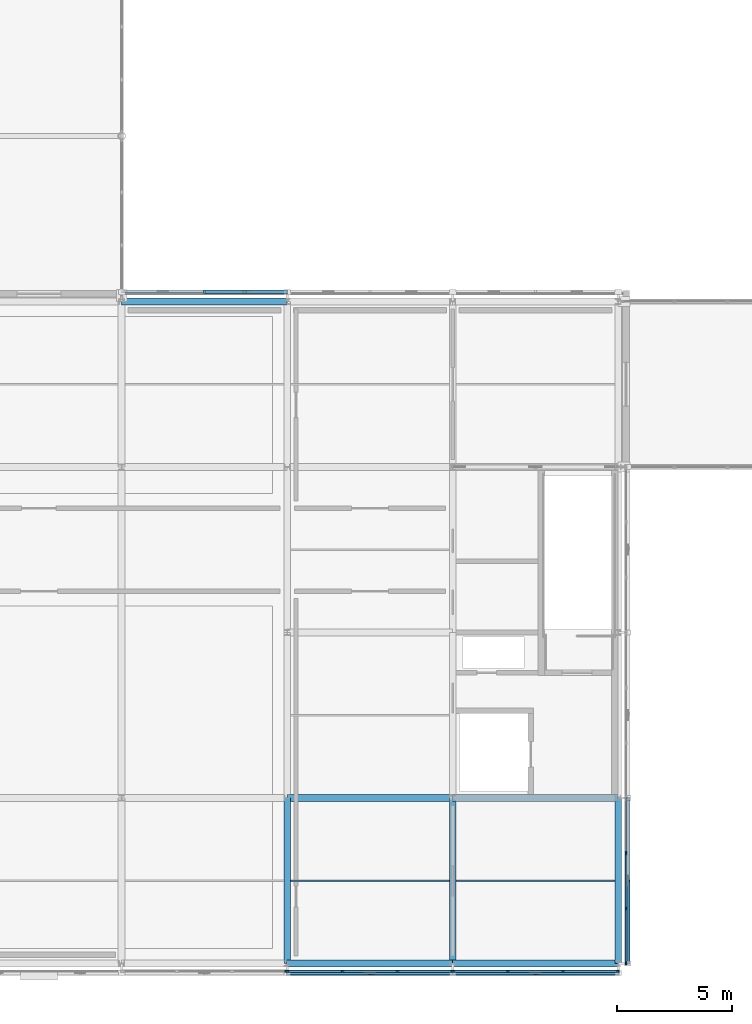
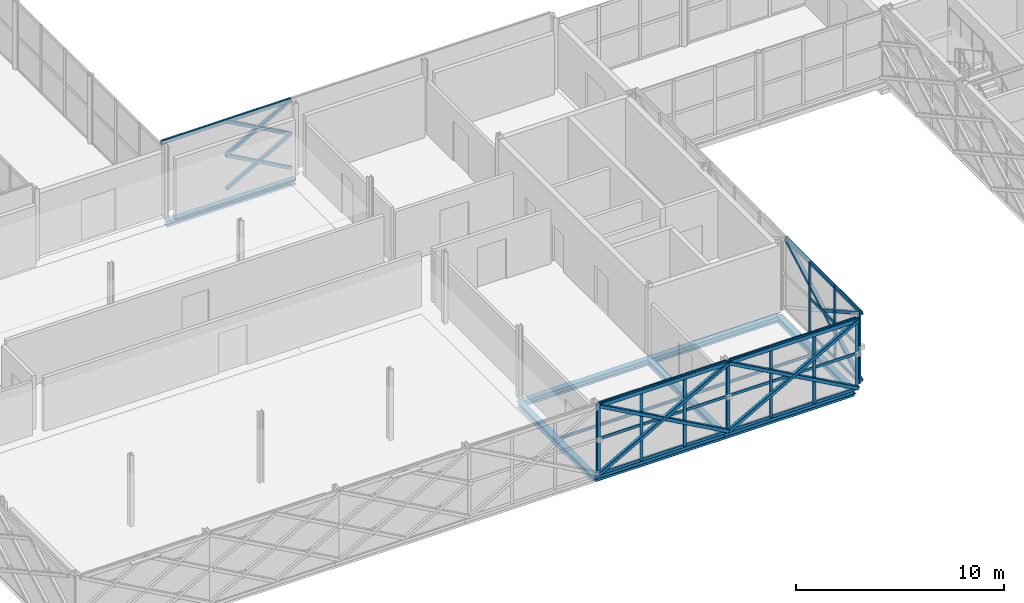
# One storey, part 22 of 126: 54 members, 10 beams, 4 elements without a shape of their own.
"""IFC4 building model written with IfcOpenShell, lengths in metres."""

from ifc_helpers import new_model, si_unit, direction, frame, origin, origin_2d, place, context, subcontext, project, spatial, rectangle, hollow_rectangle, i_section, extrude, material, material_profile, profile_set, type_object, element, aggregate, save


model = new_model("IFC4")

# Units and contexts
model_context = context("Model", 3, precision=1e-05, world=origin(), true_north=direction((0.0, 1.0)))
body_context = subcontext(model_context, "Body", "Model", "MODEL_VIEW")
ifc_project = project(units=[si_unit("LENGTHUNIT", "METRE"), si_unit("AREAUNIT", "SQUARE_METRE"), si_unit("VOLUMEUNIT", "CUBIC_METRE"), si_unit("PLANEANGLEUNIT", "RADIAN"), si_unit("MASSUNIT", "GRAM", prefix="KILO")], contexts=[model_context])

# Site, building, storey
site_placement = place(None, origin())
site = spatial("IfcSite", under=ifc_project, at=site_placement, CompositionType="ELEMENT")
building_placement = place(site_placement, origin())
building = spatial("IfcBuilding", under=site, at=building_placement, Name="Zlatovets Crest Museum", CompositionType="ELEMENT")
storey_placement = place(building_placement, frame((0.0, 0.0, 8.699951171875)))
storey = spatial("IfcBuildingStorey", under=building, at=storey_placement, Name="L02", CompositionType="ELEMENT", Elevation=8.699951171875)

# Beams
ifc_material_1 = material(Name="Structural steel S355J2", Category="steel")
ifc_material_profile_1 = material_profile(ifc_material_1, i_section(OverallWidth=0.300048828125, OverallDepth=0.35009765625, WebThickness=0.010009765625, FlangeThickness=0.017578125, FilletRadius=0.027099609375, at=origin_2d()), Name="HEA 360")
ifc_profile_set_1 = profile_set([ifc_material_profile_1], Name="Structural steel S355J2")
beam_type_1 = type_object("IfcBeamType", Name="Beam_B-03", PredefinedType="BEAM", material=ifc_profile_set_1)
for number, where, z_axis, x_axis, name in (
    (1, (28.800048828125, 0.0, -0.39501953125), (0.0, 1.0, 0.0), (-1.0, 0.0, 0.0), "V3 L02 Grid Beam B-03"),
    (2, (36.0, 0.0, -0.39501953125), (0.0, 1.0, 0.0), (-1.0, 0.0, 0.0), "V3 L02 Grid Beam B-03"),
    (3, (43.199951171875, 0.0, -0.39501953125), (0.0, 1.0, 0.0), (-1.0, 0.0, 0.0), "V3 L02 Grid Beam B-03"),
):
    element("IfcBeam", number, at=place(storey_placement, frame(where, z_axis=z_axis, x_axis=x_axis)), inside=storey, type_object=beam_type_1, Name=name, PredefinedType="BEAM", context=body_context, shape_type="SweptSolid", body=[
        extrude(i_section(OverallWidth=0.300048828125, OverallDepth=0.35009765625, WebThickness=0.010009765625, FlangeThickness=0.017578125, FilletRadius=0.027099609375, at=origin_2d()), origin(), (0.0, 0.0, 1.0), 7.199951171875),
    ])
ifc_material_profile_2 = material_profile(ifc_material_1, i_section(OverallWidth=0.300048828125, OverallDepth=0.330078125, WebThickness=0.009521484375, FlangeThickness=0.0166015625, FilletRadius=0.027099609375, at=origin_2d()), Name="HEA 340")
ifc_profile_set_2 = profile_set([ifc_material_profile_2], Name="Structural steel S355J2")
beam_type_2 = type_object("IfcBeamType", Name="Beam_B-11", PredefinedType="BEAM", material=ifc_profile_set_2)
for number, where, z_axis, x_axis, name in (
    (4, (28.800048828125, 0.0, -0.385009765625), (1.0, 0.0, 0.0), (0.0, 1.0, 0.0), "V3 L02 Primary Girder B-11"),
    (5, (36.0, 0.0, -0.385009765625), (1.0, 0.0, 0.0), (0.0, 1.0, 0.0), "V3 L02 Primary Girder B-11"),
    (6, (28.800048828125, 7.199951171875, -0.385009765625), (1.0, 0.0, 0.0), (0.0, 1.0, 0.0), "V3 L02 Primary Girder B-11"),
    (7, (36.0, 7.199951171875, -0.385009765625), (1.0, 0.0, 0.0), (0.0, 1.0, 0.0), "V3 L02 Primary Girder B-11"),
    (8, (21.60009765625, 28.800048828125, -0.385009765625), (1.0, 0.0, 0.0), (0.0, 1.0, 0.0), "V3 L02 Primary Girder B-11"),
):
    element("IfcBeam", number, at=place(storey_placement, frame(where, z_axis=z_axis, x_axis=x_axis)), inside=storey, type_object=beam_type_2, Name=name, PredefinedType="BEAM", context=body_context, shape_type="SweptSolid", body=[
        extrude(i_section(OverallWidth=0.300048828125, OverallDepth=0.330078125, WebThickness=0.009521484375, FlangeThickness=0.0166015625, FilletRadius=0.027099609375, at=origin_2d()), origin(), (0.0, 0.0, 1.0), 7.199951171875),
    ])
ifc_material_profile_3 = material_profile(ifc_material_1, i_section(OverallWidth=0.08203125, OverallDepth=0.159912109375, WebThickness=0.0048828125, FlangeThickness=0.00732421875, FilletRadius=0.009033203125, at=origin_2d()), Name="IPE 160")
ifc_profile_set_3 = profile_set([ifc_material_profile_3], Name="Structural steel S355J2")
beam_type_3 = type_object("IfcBeamType", Name="Beam_J-12", PredefinedType="JOIST", material=ifc_profile_set_3)
for number, where, z_axis, x_axis, name in (
    (9, (28.949951171875, 3.60009765625, -0.300048828125), (1.0, 0.0, 0.0), (0.0, 1.0, 0.0), "V3 L02 Composite Joist J-12"),
    (10, (36.14990234375, 3.60009765625, -0.300048828125), (1.0, 0.0, 0.0), (0.0, 1.0, 0.0), "V3 L02 Composite Joist J-12"),
):
    element("IfcBeam", number, at=place(storey_placement, frame(where, z_axis=z_axis, x_axis=x_axis)), inside=storey, type_object=beam_type_3, Name=name, PredefinedType="JOIST", context=body_context, shape_type="SweptSolid", body=[
        extrude(i_section(OverallWidth=0.08203125, OverallDepth=0.159912109375, WebThickness=0.0048828125, FlangeThickness=0.00732421875, FilletRadius=0.009033203125, at=origin_2d()), origin(), (0.0, 0.0, 1.0), 6.900146484375),
    ])

# Curtain wall, member
ifc_material_2 = material(Name="Bronze-anodised aluminium and low-E triple glass", Category="aluminium")
curtain_wall_type_1 = type_object("IfcCurtainWallType", Name="CW_CW-V3-L02-M3", PredefinedType="NOTDEFINED", material=ifc_material_2)
curtain_wall_1_placement = place(storey_placement, origin())
curtain_wall_1 = element("IfcCurtainWall", 11, at=curtain_wall_1_placement, inside=storey, type_object=curtain_wall_type_1, Name="V3 L02 Secession Foyer Clear Curtain Wall", PredefinedType="NOTDEFINED")
ifc_material_3 = material(Name="Bronze-anodised aluminium EN AW-6060", Category="aluminium")
ifc_material_profile_4 = material_profile(ifc_material_3, rectangle(XDim=0.080078125, YDim=0.159912109375, at=origin_2d()), Name="ALU 80x160")
ifc_profile_set_4 = profile_set([ifc_material_profile_4], Name="Bronze-anodised aluminium EN AW-6060")
member_type_1 = type_object("IfcMemberType", Name="CWMull_M1", PredefinedType="MULLION", material=ifc_profile_set_4)
member_1_placement = place(storey_placement, frame((28.77001953125, -0.340087890625, 0.0), z_axis=(0.0, 0.0, 1.0), x_axis=(0.0, 1.0, 0.0)))
member_1 = element("IfcMember", 12, at=member_1_placement, type_object=member_type_1, Name="CW-V3-L02-M3 mullion 4", PredefinedType="MULLION", context=body_context, shape_type="SweptSolid", body=[
    extrude(rectangle(XDim=0.080078125, YDim=0.159912109375, at=origin_2d()), origin(), (0.0, 0.0, 1.0), 4.199951171875),
])
aggregate(curtain_wall_1, [member_1])

# Curtain wall, members
curtain_wall_type_2 = type_object("IfcCurtainWallType", Name="CW_CW-V3-L02-M0", PredefinedType="NOTDEFINED", material=ifc_material_2)
curtain_wall_2_placement = place(storey_placement, origin())
curtain_wall_2 = element("IfcCurtainWall", 13, at=curtain_wall_2_placement, inside=storey, type_object=curtain_wall_type_2, Name="V3 L02 Secession Foyer Clear Curtain Wall", PredefinedType="NOTDEFINED")
member_2_placement = place(storey_placement, frame((28.830078125, -0.340087890625, 0.0), z_axis=(0.0, 0.0, 1.0), x_axis=(0.0, 1.0, 0.0)))
member_2 = element("IfcMember", 14, at=member_2_placement, type_object=member_type_1, Name="CW-V3-L02-M0 mullion 1", PredefinedType="MULLION", context=body_context, shape_type="SweptSolid", body=[
    extrude(rectangle(XDim=0.080078125, YDim=0.159912109375, at=origin_2d()), origin(), (0.0, 0.0, 1.0), 4.199951171875),
])
member_3_placement = place(storey_placement, frame((31.199951171875, -0.340087890625, 0.0), z_axis=(0.0, 0.0, 1.0), x_axis=(0.0, 1.0, 0.0)))
member_3 = element("IfcMember", 15, at=member_3_placement, type_object=member_type_1, Name="CW-V3-L02-M0 mullion 2", PredefinedType="MULLION", context=body_context, shape_type="SweptSolid", body=[
    extrude(rectangle(XDim=0.080078125, YDim=0.159912109375, at=origin_2d()), origin(), (0.0, 0.0, 1.0), 4.199951171875),
])
member_4_placement = place(storey_placement, frame((33.60009765625, -0.340087890625, 0.0), z_axis=(0.0, 0.0, 1.0), x_axis=(0.0, 1.0, 0.0)))
member_4 = element("IfcMember", 16, at=member_4_placement, type_object=member_type_1, Name="CW-V3-L02-M0 mullion 3", PredefinedType="MULLION", context=body_context, shape_type="SweptSolid", body=[
    extrude(rectangle(XDim=0.080078125, YDim=0.159912109375, at=origin_2d()), origin(), (0.0, 0.0, 1.0), 4.199951171875),
])
member_5_placement = place(storey_placement, frame((35.969970703125, -0.340087890625, 0.0), z_axis=(0.0, 0.0, 1.0), x_axis=(0.0, 1.0, 0.0)))
member_5 = element("IfcMember", 17, at=member_5_placement, type_object=member_type_1, Name="CW-V3-L02-M0 mullion 4", PredefinedType="MULLION", context=body_context, shape_type="SweptSolid", body=[
    extrude(rectangle(XDim=0.080078125, YDim=0.159912109375, at=origin_2d()), origin(), (0.0, 0.0, 1.0), 4.199951171875),
])

curtain_wall_type_3 = type_object("IfcCurtainWallType", Name="CW_CW-V3-L02-M1", PredefinedType="NOTDEFINED", material=ifc_material_2)
curtain_wall_3_placement = place(storey_placement, origin())
curtain_wall_3 = element("IfcCurtainWall", 18, at=curtain_wall_3_placement, inside=storey, type_object=curtain_wall_type_3, Name="V3 L02 Secession Foyer Clear Curtain Wall", PredefinedType="NOTDEFINED")
member_6_placement = place(storey_placement, frame((36.030029296875, -0.340087890625, 0.0), z_axis=(0.0, 0.0, 1.0), x_axis=(0.0, 1.0, 0.0)))
member_6 = element("IfcMember", 19, at=member_6_placement, type_object=member_type_1, Name="CW-V3-L02-M1 mullion 1", PredefinedType="MULLION", context=body_context, shape_type="SweptSolid", body=[
    extrude(rectangle(XDim=0.080078125, YDim=0.159912109375, at=origin_2d()), origin(), (0.0, 0.0, 1.0), 4.199951171875),
])
member_7_placement = place(storey_placement, frame((38.39990234375, -0.340087890625, 0.0), z_axis=(0.0, 0.0, 1.0), x_axis=(0.0, 1.0, 0.0)))
member_7 = element("IfcMember", 20, at=member_7_placement, type_object=member_type_1, Name="CW-V3-L02-M1 mullion 2", PredefinedType="MULLION", context=body_context, shape_type="SweptSolid", body=[
    extrude(rectangle(XDim=0.080078125, YDim=0.159912109375, at=origin_2d()), origin(), (0.0, 0.0, 1.0), 4.199951171875),
])
member_8_placement = place(storey_placement, frame((40.800048828125, -0.340087890625, 0.0), z_axis=(0.0, 0.0, 1.0), x_axis=(0.0, 1.0, 0.0)))
member_8 = element("IfcMember", 21, at=member_8_placement, type_object=member_type_1, Name="CW-V3-L02-M1 mullion 3", PredefinedType="MULLION", context=body_context, shape_type="SweptSolid", body=[
    extrude(rectangle(XDim=0.080078125, YDim=0.159912109375, at=origin_2d()), origin(), (0.0, 0.0, 1.0), 4.199951171875),
])
member_9_placement = place(storey_placement, frame((43.169921875, -0.340087890625, 0.0), z_axis=(0.0, 0.0, 1.0), x_axis=(0.0, 1.0, 0.0)))
member_9 = element("IfcMember", 22, at=member_9_placement, type_object=member_type_1, Name="CW-V3-L02-M1 mullion 4", PredefinedType="MULLION", context=body_context, shape_type="SweptSolid", body=[
    extrude(rectangle(XDim=0.080078125, YDim=0.159912109375, at=origin_2d()), origin(), (0.0, 0.0, 1.0), 4.199951171875),
])

curtain_wall_type_4 = type_object("IfcCurtainWallType", Name="CW_CW-V3-L02-M2", PredefinedType="NOTDEFINED", material=ifc_material_2)
curtain_wall_4_placement = place(storey_placement, origin())
curtain_wall_4 = element("IfcCurtainWall", 23, at=curtain_wall_4_placement, inside=storey, type_object=curtain_wall_type_4, Name="V3 L02 Secession Foyer Clear Curtain Wall", PredefinedType="NOTDEFINED")
member_10_placement = place(storey_placement, frame((43.5400390625, 0.030029296875, 0.0), z_axis=(0.0, 0.0, 1.0), x_axis=(-1.0, 0.0, 0.0)))
member_10 = element("IfcMember", 24, at=member_10_placement, type_object=member_type_1, Name="CW-V3-L02-M2 mullion 1", PredefinedType="MULLION", context=body_context, shape_type="SweptSolid", body=[
    extrude(rectangle(XDim=0.080078125, YDim=0.159912109375, at=origin_2d()), origin(), (0.0, 0.0, 1.0), 4.199951171875),
])
member_11_placement = place(storey_placement, frame((43.5400390625, 2.39990234375, 0.0), z_axis=(0.0, 0.0, 1.0), x_axis=(-1.0, 0.0, 0.0)))
member_11 = element("IfcMember", 25, at=member_11_placement, type_object=member_type_1, Name="CW-V3-L02-M2 mullion 2", PredefinedType="MULLION", context=body_context, shape_type="SweptSolid", body=[
    extrude(rectangle(XDim=0.080078125, YDim=0.159912109375, at=origin_2d()), origin(), (0.0, 0.0, 1.0), 4.199951171875),
])
member_12_placement = place(storey_placement, frame((43.5400390625, 4.800048828125, 0.0), z_axis=(0.0, 0.0, 1.0), x_axis=(-1.0, 0.0, 0.0)))
member_12 = element("IfcMember", 26, at=member_12_placement, type_object=member_type_1, Name="CW-V3-L02-M2 mullion 3", PredefinedType="MULLION", context=body_context, shape_type="SweptSolid", body=[
    extrude(rectangle(XDim=0.080078125, YDim=0.159912109375, at=origin_2d()), origin(), (0.0, 0.0, 1.0), 4.199951171875),
])

# Member
ifc_material_profile_5 = material_profile(ifc_material_3, rectangle(XDim=0.080078125, YDim=0.159912109375, at=origin_2d()), Name="ALU 80x160")
ifc_profile_set_5 = profile_set([ifc_material_profile_5], Name="Bronze-anodised aluminium EN AW-6060")
member_type_2 = type_object("IfcMemberType", Name="CWTrans_T1", PredefinedType="USERDEFINED", material=ifc_profile_set_5)
member_13_placement = place(storey_placement, frame((28.860107421875, -0.340087890625, 0.030029296875), z_axis=(1.0, 0.0, 0.0), x_axis=(0.0, 1.0, 0.0)))
member_13 = element("IfcMember", 27, at=member_13_placement, type_object=member_type_2, Name="CW-V3-L02-M0 transom 1.1", ObjectType="TRANSOM", PredefinedType="USERDEFINED", context=body_context, shape_type="SweptSolid", body=[
    extrude(rectangle(XDim=0.080078125, YDim=0.159912109375, at=origin_2d()), origin(), (0.0, 0.0, 1.0), 2.309814453125),
])

member_14_placement = place(storey_placement, frame((28.860107421875, -0.340087890625, 2.10009765625), z_axis=(1.0, 0.0, 0.0), x_axis=(0.0, 1.0, 0.0)))
member_14 = element("IfcMember", 28, at=member_14_placement, type_object=member_type_2, Name="CW-V3-L02-M0 transom 1.2", ObjectType="TRANSOM", PredefinedType="USERDEFINED", context=body_context, shape_type="SweptSolid", body=[
    extrude(rectangle(XDim=0.080078125, YDim=0.159912109375, at=origin_2d()), origin(), (0.0, 0.0, 1.0), 2.309814453125),
])

member_15_placement = place(storey_placement, frame((28.860107421875, -0.340087890625, 4.170166015625), z_axis=(1.0, 0.0, 0.0), x_axis=(0.0, 1.0, 0.0)))
member_15 = element("IfcMember", 29, at=member_15_placement, type_object=member_type_2, Name="CW-V3-L02-M0 transom 1.3", ObjectType="TRANSOM", PredefinedType="USERDEFINED", context=body_context, shape_type="SweptSolid", body=[
    extrude(rectangle(XDim=0.080078125, YDim=0.159912109375, at=origin_2d()), origin(), (0.0, 0.0, 1.0), 2.309814453125),
])

member_16_placement = place(storey_placement, frame((31.22998046875, -0.340087890625, 0.030029296875), z_axis=(1.0, 0.0, 0.0), x_axis=(0.0, 1.0, 0.0)))
member_16 = element("IfcMember", 30, at=member_16_placement, type_object=member_type_2, Name="CW-V3-L02-M0 transom 2.1", ObjectType="TRANSOM", PredefinedType="USERDEFINED", context=body_context, shape_type="SweptSolid", body=[
    extrude(rectangle(XDim=0.080078125, YDim=0.159912109375, at=origin_2d()), origin(), (0.0, 0.0, 1.0), 2.340087890625),
])

member_17_placement = place(storey_placement, frame((31.22998046875, -0.340087890625, 2.10009765625), z_axis=(1.0, 0.0, 0.0), x_axis=(0.0, 1.0, 0.0)))
member_17 = element("IfcMember", 31, at=member_17_placement, type_object=member_type_2, Name="CW-V3-L02-M0 transom 2.2", ObjectType="TRANSOM", PredefinedType="USERDEFINED", context=body_context, shape_type="SweptSolid", body=[
    extrude(rectangle(XDim=0.080078125, YDim=0.159912109375, at=origin_2d()), origin(), (0.0, 0.0, 1.0), 2.340087890625),
])

member_18_placement = place(storey_placement, frame((31.22998046875, -0.340087890625, 4.170166015625), z_axis=(1.0, 0.0, 0.0), x_axis=(0.0, 1.0, 0.0)))
member_18 = element("IfcMember", 32, at=member_18_placement, type_object=member_type_2, Name="CW-V3-L02-M0 transom 2.3", ObjectType="TRANSOM", PredefinedType="USERDEFINED", context=body_context, shape_type="SweptSolid", body=[
    extrude(rectangle(XDim=0.080078125, YDim=0.159912109375, at=origin_2d()), origin(), (0.0, 0.0, 1.0), 2.340087890625),
])

member_19_placement = place(storey_placement, frame((33.6298828125, -0.340087890625, 0.030029296875), z_axis=(1.0, 0.0, 0.0), x_axis=(0.0, 1.0, 0.0)))
member_19 = element("IfcMember", 33, at=member_19_placement, type_object=member_type_2, Name="CW-V3-L02-M0 transom 3.1", ObjectType="TRANSOM", PredefinedType="USERDEFINED", context=body_context, shape_type="SweptSolid", body=[
    extrude(rectangle(XDim=0.080078125, YDim=0.159912109375, at=origin_2d()), origin(), (0.0, 0.0, 1.0), 2.31005859375),
])

member_20_placement = place(storey_placement, frame((33.6298828125, -0.340087890625, 2.10009765625), z_axis=(1.0, 0.0, 0.0), x_axis=(0.0, 1.0, 0.0)))
member_20 = element("IfcMember", 34, at=member_20_placement, type_object=member_type_2, Name="CW-V3-L02-M0 transom 3.2", ObjectType="TRANSOM", PredefinedType="USERDEFINED", context=body_context, shape_type="SweptSolid", body=[
    extrude(rectangle(XDim=0.080078125, YDim=0.159912109375, at=origin_2d()), origin(), (0.0, 0.0, 1.0), 2.31005859375),
])

member_21_placement = place(storey_placement, frame((33.6298828125, -0.340087890625, 4.170166015625), z_axis=(1.0, 0.0, 0.0), x_axis=(0.0, 1.0, 0.0)))
member_21 = element("IfcMember", 35, at=member_21_placement, type_object=member_type_2, Name="CW-V3-L02-M0 transom 3.3", ObjectType="TRANSOM", PredefinedType="USERDEFINED", context=body_context, shape_type="SweptSolid", body=[
    extrude(rectangle(XDim=0.080078125, YDim=0.159912109375, at=origin_2d()), origin(), (0.0, 0.0, 1.0), 2.31005859375),
])

aggregate(curtain_wall_2, [member_2, member_3, member_4, member_5, member_13, member_14, member_15, member_16, member_17, member_18, member_19, member_20, member_21])

member_22_placement = place(storey_placement, frame((36.06005859375, -0.340087890625, 0.030029296875), z_axis=(1.0, 0.0, 0.0), x_axis=(0.0, 1.0, 0.0)))
member_22 = element("IfcMember", 36, at=member_22_placement, type_object=member_type_2, Name="CW-V3-L02-M1 transom 1.1", ObjectType="TRANSOM", PredefinedType="USERDEFINED", context=body_context, shape_type="SweptSolid", body=[
    extrude(rectangle(XDim=0.080078125, YDim=0.159912109375, at=origin_2d()), origin(), (0.0, 0.0, 1.0), 2.31005859375),
])

member_23_placement = place(storey_placement, frame((36.06005859375, -0.340087890625, 2.10009765625), z_axis=(1.0, 0.0, 0.0), x_axis=(0.0, 1.0, 0.0)))
member_23 = element("IfcMember", 37, at=member_23_placement, type_object=member_type_2, Name="CW-V3-L02-M1 transom 1.2", ObjectType="TRANSOM", PredefinedType="USERDEFINED", context=body_context, shape_type="SweptSolid", body=[
    extrude(rectangle(XDim=0.080078125, YDim=0.159912109375, at=origin_2d()), origin(), (0.0, 0.0, 1.0), 2.31005859375),
])

member_24_placement = place(storey_placement, frame((36.06005859375, -0.340087890625, 4.170166015625), z_axis=(1.0, 0.0, 0.0), x_axis=(0.0, 1.0, 0.0)))
member_24 = element("IfcMember", 38, at=member_24_placement, type_object=member_type_2, Name="CW-V3-L02-M1 transom 1.3", ObjectType="TRANSOM", PredefinedType="USERDEFINED", context=body_context, shape_type="SweptSolid", body=[
    extrude(rectangle(XDim=0.080078125, YDim=0.159912109375, at=origin_2d()), origin(), (0.0, 0.0, 1.0), 2.31005859375),
])

member_25_placement = place(storey_placement, frame((38.429931640625, -0.340087890625, 0.030029296875), z_axis=(1.0, 0.0, 0.0), x_axis=(0.0, 1.0, 0.0)))
member_25 = element("IfcMember", 39, at=member_25_placement, type_object=member_type_2, Name="CW-V3-L02-M1 transom 2.1", ObjectType="TRANSOM", PredefinedType="USERDEFINED", context=body_context, shape_type="SweptSolid", body=[
    extrude(rectangle(XDim=0.080078125, YDim=0.159912109375, at=origin_2d()), origin(), (0.0, 0.0, 1.0), 2.340087890625),
])

member_26_placement = place(storey_placement, frame((38.429931640625, -0.340087890625, 2.10009765625), z_axis=(1.0, 0.0, 0.0), x_axis=(0.0, 1.0, 0.0)))
member_26 = element("IfcMember", 40, at=member_26_placement, type_object=member_type_2, Name="CW-V3-L02-M1 transom 2.2", ObjectType="TRANSOM", PredefinedType="USERDEFINED", context=body_context, shape_type="SweptSolid", body=[
    extrude(rectangle(XDim=0.080078125, YDim=0.159912109375, at=origin_2d()), origin(), (0.0, 0.0, 1.0), 2.340087890625),
])

member_27_placement = place(storey_placement, frame((38.429931640625, -0.340087890625, 4.170166015625), z_axis=(1.0, 0.0, 0.0), x_axis=(0.0, 1.0, 0.0)))
member_27 = element("IfcMember", 41, at=member_27_placement, type_object=member_type_2, Name="CW-V3-L02-M1 transom 2.3", ObjectType="TRANSOM", PredefinedType="USERDEFINED", context=body_context, shape_type="SweptSolid", body=[
    extrude(rectangle(XDim=0.080078125, YDim=0.159912109375, at=origin_2d()), origin(), (0.0, 0.0, 1.0), 2.340087890625),
])

member_28_placement = place(storey_placement, frame((40.830078125, -0.340087890625, 0.030029296875), z_axis=(1.0, 0.0, 0.0), x_axis=(0.0, 1.0, 0.0)))
member_28 = element("IfcMember", 42, at=member_28_placement, type_object=member_type_2, Name="CW-V3-L02-M1 transom 3.1", ObjectType="TRANSOM", PredefinedType="USERDEFINED", context=body_context, shape_type="SweptSolid", body=[
    extrude(rectangle(XDim=0.080078125, YDim=0.159912109375, at=origin_2d()), origin(), (0.0, 0.0, 1.0), 2.309814453125),
])

member_29_placement = place(storey_placement, frame((40.830078125, -0.340087890625, 2.10009765625), z_axis=(1.0, 0.0, 0.0), x_axis=(0.0, 1.0, 0.0)))
member_29 = element("IfcMember", 43, at=member_29_placement, type_object=member_type_2, Name="CW-V3-L02-M1 transom 3.2", ObjectType="TRANSOM", PredefinedType="USERDEFINED", context=body_context, shape_type="SweptSolid", body=[
    extrude(rectangle(XDim=0.080078125, YDim=0.159912109375, at=origin_2d()), origin(), (0.0, 0.0, 1.0), 2.309814453125),
])

member_30_placement = place(storey_placement, frame((40.830078125, -0.340087890625, 4.170166015625), z_axis=(1.0, 0.0, 0.0), x_axis=(0.0, 1.0, 0.0)))
member_30 = element("IfcMember", 44, at=member_30_placement, type_object=member_type_2, Name="CW-V3-L02-M1 transom 3.3", ObjectType="TRANSOM", PredefinedType="USERDEFINED", context=body_context, shape_type="SweptSolid", body=[
    extrude(rectangle(XDim=0.080078125, YDim=0.159912109375, at=origin_2d()), origin(), (0.0, 0.0, 1.0), 2.309814453125),
])

aggregate(curtain_wall_3, [member_6, member_7, member_8, member_9, member_22, member_23, member_24, member_25, member_26, member_27, member_28, member_29, member_30])

member_31_placement = place(storey_placement, frame((43.5400390625, 0.06005859375, 0.030029296875), z_axis=(0.0, 1.0, 0.0), x_axis=(-1.0, 0.0, 0.0)))
member_31 = element("IfcMember", 45, at=member_31_placement, type_object=member_type_2, Name="CW-V3-L02-M2 transom 1.1", ObjectType="TRANSOM", PredefinedType="USERDEFINED", context=body_context, shape_type="SweptSolid", body=[
    extrude(rectangle(XDim=0.080078125, YDim=0.159912109375, at=origin_2d()), origin(), (0.0, 0.0, 1.0), 2.31005859375),
])

member_32_placement = place(storey_placement, frame((43.5400390625, 0.06005859375, 2.10009765625), z_axis=(0.0, 1.0, 0.0), x_axis=(-1.0, 0.0, 0.0)))
member_32 = element("IfcMember", 46, at=member_32_placement, type_object=member_type_2, Name="CW-V3-L02-M2 transom 1.2", ObjectType="TRANSOM", PredefinedType="USERDEFINED", context=body_context, shape_type="SweptSolid", body=[
    extrude(rectangle(XDim=0.080078125, YDim=0.159912109375, at=origin_2d()), origin(), (0.0, 0.0, 1.0), 2.31005859375),
])

member_33_placement = place(storey_placement, frame((43.5400390625, 0.06005859375, 4.170166015625), z_axis=(0.0, 1.0, 0.0), x_axis=(-1.0, 0.0, 0.0)))
member_33 = element("IfcMember", 47, at=member_33_placement, type_object=member_type_2, Name="CW-V3-L02-M2 transom 1.3", ObjectType="TRANSOM", PredefinedType="USERDEFINED", context=body_context, shape_type="SweptSolid", body=[
    extrude(rectangle(XDim=0.080078125, YDim=0.159912109375, at=origin_2d()), origin(), (0.0, 0.0, 1.0), 2.31005859375),
])

member_34_placement = place(storey_placement, frame((43.5400390625, 2.429931640625, 0.030029296875), z_axis=(0.0, 1.0, 0.0), x_axis=(-1.0, 0.0, 0.0)))
member_34 = element("IfcMember", 48, at=member_34_placement, type_object=member_type_2, Name="CW-V3-L02-M2 transom 2.1", ObjectType="TRANSOM", PredefinedType="USERDEFINED", context=body_context, shape_type="SweptSolid", body=[
    extrude(rectangle(XDim=0.080078125, YDim=0.159912109375, at=origin_2d()), origin(), (0.0, 0.0, 1.0), 2.340087890625),
])

member_35_placement = place(storey_placement, frame((43.5400390625, 2.429931640625, 2.10009765625), z_axis=(0.0, 1.0, 0.0), x_axis=(-1.0, 0.0, 0.0)))
member_35 = element("IfcMember", 49, at=member_35_placement, type_object=member_type_2, Name="CW-V3-L02-M2 transom 2.2", ObjectType="TRANSOM", PredefinedType="USERDEFINED", context=body_context, shape_type="SweptSolid", body=[
    extrude(rectangle(XDim=0.080078125, YDim=0.159912109375, at=origin_2d()), origin(), (0.0, 0.0, 1.0), 2.340087890625),
])

member_36_placement = place(storey_placement, frame((43.5400390625, 2.429931640625, 4.170166015625), z_axis=(0.0, 1.0, 0.0), x_axis=(-1.0, 0.0, 0.0)))
member_36 = element("IfcMember", 50, at=member_36_placement, type_object=member_type_2, Name="CW-V3-L02-M2 transom 2.3", ObjectType="TRANSOM", PredefinedType="USERDEFINED", context=body_context, shape_type="SweptSolid", body=[
    extrude(rectangle(XDim=0.080078125, YDim=0.159912109375, at=origin_2d()), origin(), (0.0, 0.0, 1.0), 2.340087890625),
])

aggregate(curtain_wall_4, [member_10, member_11, member_12, member_31, member_32, member_33, member_34, member_35, member_36])

# Members
ifc_material_4 = material(Name="Weathering bronze-steel S355J2W", Category="steel")
ifc_material_profile_6 = material_profile(ifc_material_4, hollow_rectangle(XDim=0.179931640625, YDim=0.179931640625, WallThickness=0.010009765625, InnerFilletRadius=0.010009765625, OuterFilletRadius=0.02001953125, at=origin_2d()), Name="SHS 180x180x10.0")
ifc_profile_set_6 = profile_set([ifc_material_profile_6], Name="Weathering bronze-steel S355J2W")
member_type_3 = type_object("IfcMemberType", Name="Lattice_XL-01", PredefinedType="BRACE", material=ifc_profile_set_6)
member_37_placement = place(storey_placement, frame((28.800048828125, 29.219970703125, 0.10009765625), z_axis=(-0.874162868644, 0.0, 0.485632864501), x_axis=(0.0, -1.0, 0.0)))
element("IfcMember", 51, at=member_37_placement, inside=storey, type_object=member_type_3, Name="Continuous Bronze Lattice Diagonal", PredefinedType="BRACE", context=body_context, shape_type="SweptSolid", body=[
    extrude(hollow_rectangle(XDim=0.179931640625, YDim=0.179931640625, WallThickness=0.010009765625, InnerFilletRadius=0.010009765625, OuterFilletRadius=0.02001953125, at=origin_2d()), origin(), (0.0, 0.0, 1.0), 4.118408203125),
])
for number, where, z_axis, x_axis, name in (
    (52, (28.800048828125, 29.219970703125, 2.10009765625), (-0.874169001841, 0.0, -0.485621824284), (0.0, -1.0, 0.0), "Split Crossing Bronze Lattice Diagonal Upper"),
    (53, (26.9169921875, 29.219970703125, 1.053955078125), (-0.874169001841, 0.0, -0.485621824284), (0.0, -1.0, 0.0), "Split Crossing Bronze Lattice Diagonal Lower"),
):
    element("IfcMember", number, at=place(storey_placement, frame(where, z_axis=z_axis, x_axis=x_axis)), inside=storey, type_object=member_type_3, Name=name, PredefinedType="BRACE", context=body_context, shape_type="SweptSolid", body=[
        extrude(hollow_rectangle(XDim=0.179931640625, YDim=0.179931640625, WallThickness=0.010009765625, InnerFilletRadius=0.010009765625, OuterFilletRadius=0.02001953125, at=origin_2d()), origin(), (0.0, 0.0, 1.0), 1.964111328125),
    ])
member_38_placement = place(storey_placement, frame((28.800048828125, 29.219970703125, 2.10009765625), z_axis=(-0.874162868644, 0.0, 0.485632864501), x_axis=(0.0, -1.0, 0.0)))
element("IfcMember", 54, at=member_38_placement, inside=storey, type_object=member_type_3, Name="Continuous Bronze Lattice Diagonal", PredefinedType="BRACE", context=body_context, shape_type="SweptSolid", body=[
    extrude(hollow_rectangle(XDim=0.179931640625, YDim=0.179931640625, WallThickness=0.010009765625, InnerFilletRadius=0.010009765625, OuterFilletRadius=0.02001953125, at=origin_2d()), origin(), (0.0, 0.0, 1.0), 4.118408203125),
])
for number, where, z_axis, x_axis, name in (
    (55, (28.800048828125, 29.219970703125, 4.10009765625), (-0.874169001841, 0.0, -0.485621824284), (0.0, -1.0, 0.0), "Split Crossing Bronze Lattice Diagonal Upper"),
    (56, (26.9169921875, 29.219970703125, 3.053955078125), (-0.874169001841, 0.0, -0.485621824284), (0.0, -1.0, 0.0), "Split Crossing Bronze Lattice Diagonal Lower"),
):
    element("IfcMember", number, at=place(storey_placement, frame(where, z_axis=z_axis, x_axis=x_axis)), inside=storey, type_object=member_type_3, Name=name, PredefinedType="BRACE", context=body_context, shape_type="SweptSolid", body=[
        extrude(hollow_rectangle(XDim=0.179931640625, YDim=0.179931640625, WallThickness=0.010009765625, InnerFilletRadius=0.010009765625, OuterFilletRadius=0.02001953125, at=origin_2d()), origin(), (0.0, 0.0, 1.0), 1.964111328125),
    ])
ifc_material_profile_7 = material_profile(ifc_material_4, hollow_rectangle(XDim=0.199951171875, YDim=0.199951171875, WallThickness=0.012451171875, InnerFilletRadius=0.012451171875, OuterFilletRadius=0.02490234375, at=origin_2d()), Name="SHS 200x200x12.5")
ifc_profile_set_7 = profile_set([ifc_material_profile_7], Name="Weathering bronze-steel S355J2W")
member_type_4 = type_object("IfcMemberType", Name="Lattice_XL-02", PredefinedType="BRACE", material=ifc_profile_set_7)
member_39_placement = place(storey_placement, frame((28.800048828125, -0.419921875, 0.10009765625), z_axis=(0.874155877937, 0.0, 0.485645447903), x_axis=(0.0, 1.0, 0.0)))
element("IfcMember", 57, at=member_39_placement, inside=storey, type_object=member_type_4, Name="Continuous Bronze Lattice Diagonal", PredefinedType="BRACE", context=body_context, shape_type="SweptSolid", body=[
    extrude(hollow_rectangle(XDim=0.199951171875, YDim=0.199951171875, WallThickness=0.012451171875, InnerFilletRadius=0.012451171875, OuterFilletRadius=0.02490234375, at=origin_2d()), origin(), (0.0, 0.0, 1.0), 8.236572265625),
])
member_40_placement = place(storey_placement, frame((28.800048828125, -0.419921875, 4.10009765625), z_axis=(0.874151551165, 0.0, -0.485653235958), x_axis=(0.0, 1.0, 0.0)))
element("IfcMember", 58, at=member_40_placement, inside=storey, type_object=member_type_4, Name="Split Crossing Bronze Lattice Diagonal Upper", PredefinedType="BRACE", context=body_context, shape_type="SweptSolid", body=[
    extrude(hollow_rectangle(XDim=0.199951171875, YDim=0.199951171875, WallThickness=0.012451171875, InnerFilletRadius=0.012451171875, OuterFilletRadius=0.02490234375, at=origin_2d()), origin(), (0.0, 0.0, 1.0), 4.023193359375),
])
member_41_placement = place(storey_placement, frame((32.48291015625, -0.419921875, 2.053955078125), z_axis=(0.874165862873, 0.0, -0.485627474703), x_axis=(0.0, 1.0, 0.0)))
element("IfcMember", 59, at=member_41_placement, inside=storey, type_object=member_type_4, Name="Split Crossing Bronze Lattice Diagonal Lower", PredefinedType="BRACE", context=body_context, shape_type="SweptSolid", body=[
    extrude(hollow_rectangle(XDim=0.199951171875, YDim=0.199951171875, WallThickness=0.012451171875, InnerFilletRadius=0.012451171875, OuterFilletRadius=0.02490234375, at=origin_2d()), origin(), (0.0, 0.0, 1.0), 4.0234375),
])
member_42_placement = place(storey_placement, frame((36.0, -0.419921875, 0.10009765625), z_axis=(0.874155877937, 0.0, 0.485645447903), x_axis=(0.0, 1.0, 0.0)))
element("IfcMember", 60, at=member_42_placement, inside=storey, type_object=member_type_4, Name="Continuous Bronze Lattice Diagonal", PredefinedType="BRACE", context=body_context, shape_type="SweptSolid", body=[
    extrude(hollow_rectangle(XDim=0.199951171875, YDim=0.199951171875, WallThickness=0.012451171875, InnerFilletRadius=0.012451171875, OuterFilletRadius=0.02490234375, at=origin_2d()), origin(), (0.0, 0.0, 1.0), 8.236572265625),
])
member_43_placement = place(storey_placement, frame((36.0, -0.419921875, 4.10009765625), z_axis=(0.874165862873, 0.0, -0.485627474703), x_axis=(0.0, 1.0, 0.0)))
element("IfcMember", 61, at=member_43_placement, inside=storey, type_object=member_type_4, Name="Split Crossing Bronze Lattice Diagonal Upper", PredefinedType="BRACE", context=body_context, shape_type="SweptSolid", body=[
    extrude(hollow_rectangle(XDim=0.199951171875, YDim=0.199951171875, WallThickness=0.012451171875, InnerFilletRadius=0.012451171875, OuterFilletRadius=0.02490234375, at=origin_2d()), origin(), (0.0, 0.0, 1.0), 4.0234375),
])
member_44_placement = place(storey_placement, frame((39.68310546875, -0.419921875, 2.053955078125), z_axis=(0.874151551165, 0.0, -0.485653235958), x_axis=(0.0, 1.0, 0.0)))
element("IfcMember", 62, at=member_44_placement, inside=storey, type_object=member_type_4, Name="Split Crossing Bronze Lattice Diagonal Lower", PredefinedType="BRACE", context=body_context, shape_type="SweptSolid", body=[
    extrude(hollow_rectangle(XDim=0.199951171875, YDim=0.199951171875, WallThickness=0.012451171875, InnerFilletRadius=0.012451171875, OuterFilletRadius=0.02490234375, at=origin_2d()), origin(), (0.0, 0.0, 1.0), 4.023193359375),
])
member_45_placement = place(storey_placement, frame((43.6201171875, 0.0, 0.10009765625), z_axis=(0.0, 0.874155877937, 0.485645447903), x_axis=(-1.0, 0.0, 0.0)))
element("IfcMember", 63, at=member_45_placement, inside=storey, type_object=member_type_4, Name="Continuous Bronze Lattice Diagonal", PredefinedType="BRACE", context=body_context, shape_type="SweptSolid", body=[
    extrude(hollow_rectangle(XDim=0.199951171875, YDim=0.199951171875, WallThickness=0.012451171875, InnerFilletRadius=0.012451171875, OuterFilletRadius=0.02490234375, at=origin_2d()), origin(), (0.0, 0.0, 1.0), 8.236572265625),
])
member_46_placement = place(storey_placement, frame((43.6201171875, 0.0, 4.10009765625), z_axis=(0.0, 0.874165862873, -0.485627474703), x_axis=(-1.0, 0.0, 0.0)))
element("IfcMember", 64, at=member_46_placement, inside=storey, type_object=member_type_4, Name="Split Crossing Bronze Lattice Diagonal Upper", PredefinedType="BRACE", context=body_context, shape_type="SweptSolid", body=[
    extrude(hollow_rectangle(XDim=0.199951171875, YDim=0.199951171875, WallThickness=0.012451171875, InnerFilletRadius=0.012451171875, OuterFilletRadius=0.02490234375, at=origin_2d()), origin(), (0.0, 0.0, 1.0), 4.0234375),
])
ifc_material_profile_8 = material_profile(ifc_material_4, hollow_rectangle(XDim=0.1201171875, YDim=0.239990234375, WallThickness=0.010009765625, InnerFilletRadius=0.010009765625, OuterFilletRadius=0.02001953125, at=origin_2d()), Name="RHS 120x240x10.0")
ifc_profile_set_8 = profile_set([ifc_material_profile_8], Name="Weathering bronze-steel S355J2W")
member_type_5 = type_object("IfcMemberType", Name="Lattice_XL-04", PredefinedType="CHORD", material=ifc_profile_set_8)
for number, where, z_axis, x_axis, name in (
    (65, (28.800048828125, -0.419921875, 4.10009765625), (1.0, 0.0, 0.0), (0.0, 1.0, 0.0), "Art Nouveau Woven Cage Collector Ring Chord"),
    (66, (36.0, -0.419921875, 4.10009765625), (1.0, 0.0, 0.0), (0.0, 1.0, 0.0), "Art Nouveau Woven Cage Collector Ring Chord"),
    (67, (43.6201171875, 0.0, 4.10009765625), (0.0, 1.0, 0.0), (-1.0, 0.0, 0.0), "Art Nouveau Woven Cage Collector Ring Chord"),
    (68, (28.800048828125, 29.219970703125, 4.10009765625), (-1.0, 0.0, 0.0), (0.0, -1.0, 0.0), "Art Nouveau Woven Cage Collector Ring Chord"),
):
    element("IfcMember", number, at=place(storey_placement, frame(where, z_axis=z_axis, x_axis=x_axis)), inside=storey, type_object=member_type_5, Name=name, PredefinedType="CHORD", context=body_context, shape_type="SweptSolid", body=[
        extrude(hollow_rectangle(XDim=0.1201171875, YDim=0.239990234375, WallThickness=0.010009765625, InnerFilletRadius=0.010009765625, OuterFilletRadius=0.02001953125, at=origin_2d()), origin(), (0.0, 0.0, 1.0), 7.199951171875),
    ])

save(model, "model.ifc")
